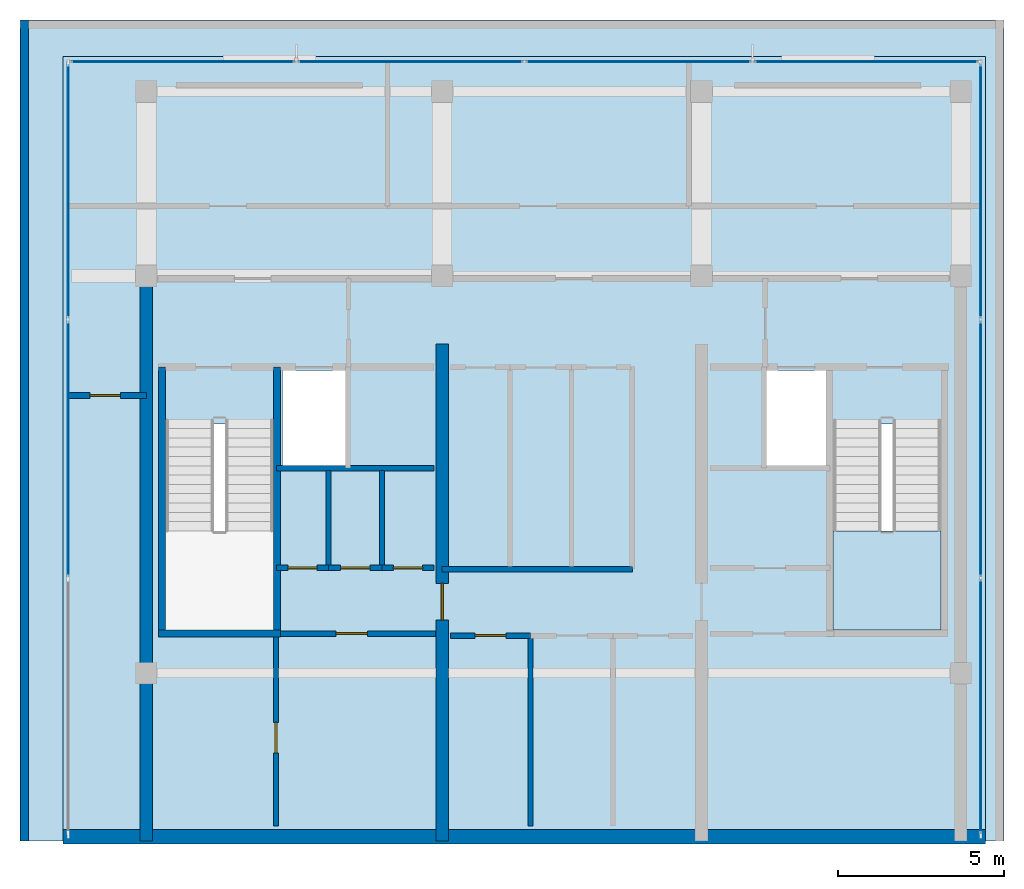
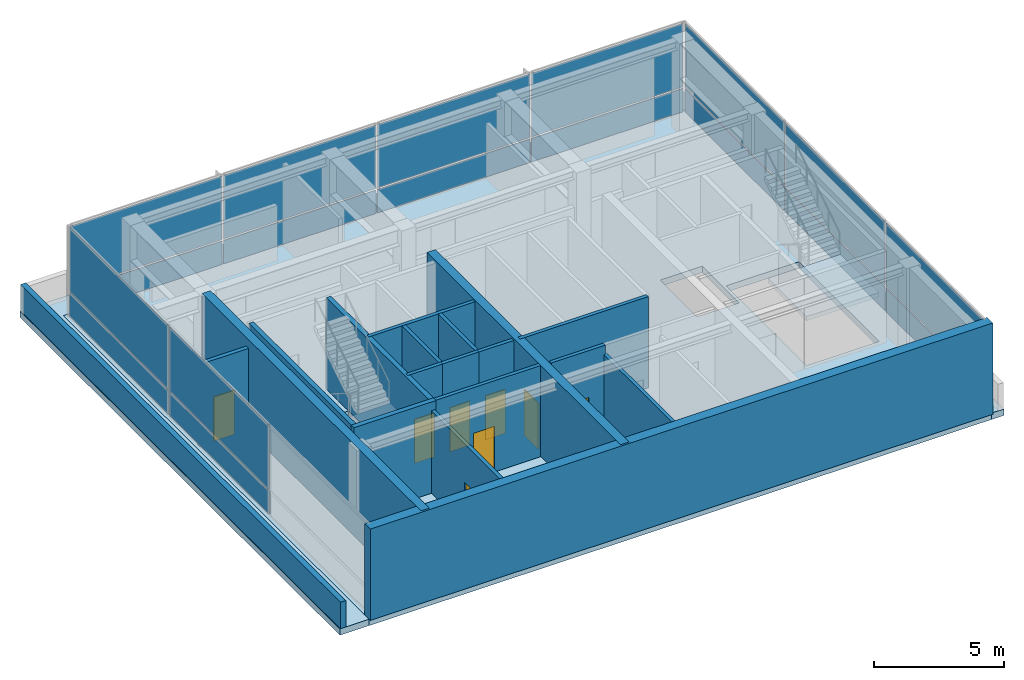
# One storey, part 2 of 5: 19 walls, 18 plates, 8 doors, 3 slabs, 8 openings, 4 elements without a shape of their own.
"""IFC4 building model written with IfcOpenShell, lengths in metres."""

from ifc_helpers import new_model, si_unit, direction, frame, frame_2d, origin, origin_2d, place, context, subcontext, project, spatial, polyline, rectangle, outline, extrude, material, layer, layer_set, type_object, element, fill, aggregate, save


model = new_model("IFC4")

# Units and contexts
model_context = context("Model", 3, precision=1e-05, world=origin(), true_north=direction((0.0, 1.0)))
body_context = subcontext(model_context, "Body", "Model", "MODEL_VIEW")
ifc_project = project(units=[si_unit("LENGTHUNIT", "METRE"), si_unit("AREAUNIT", "SQUARE_METRE"), si_unit("VOLUMEUNIT", "CUBIC_METRE"), si_unit("PLANEANGLEUNIT", "RADIAN"), si_unit("MASSUNIT", "GRAM", prefix="KILO")], contexts=[model_context])

# Site, building, storey
site_placement = place(None, origin())
site = spatial("IfcSite", under=ifc_project, at=site_placement, CompositionType="ELEMENT")
building_placement = place(site_placement, origin())
building = spatial("IfcBuilding", under=site, at=building_placement, Name="Qalmaran Belvedere Hotel", CompositionType="ELEMENT")
storey_placement = place(building_placement, frame((0.0, 0.0, 303.300048828125)))
storey = spatial("IfcBuildingStorey", under=building, at=storey_placement, Name="C02", CompositionType="ELEMENT", Elevation=303.300048828125)

# Curtain wall, plates
ifc_material_1 = material(Name="Anodised Bronze Aluminium", Category="aluminium")
ifc_layer_1 = layer(ifc_material_1, 0.205078125, Name="Anodised Bronze Aluminium")
ifc_layer_set_1 = layer_set([ifc_layer_1], Name="Anodised Bronze Aluminium")
curtain_wall_type = type_object("IfcCurtainWallType", Name="CW7-CROWN-BELVEDERE", PredefinedType="NOTDEFINED", material=ifc_layer_set_1)
curtain_wall_1_placement = place(storey_placement, origin())
curtain_wall_1 = element("IfcCurtainWall", 1, at=curtain_wall_1_placement, inside=storey, type_object=curtain_wall_type, Name="C02 Curtain Wall CW7", PredefinedType="NOTDEFINED")
ifc_material_2 = material(Name="Anodised Bronze Spandrel Panel")
ifc_layer_2 = layer(ifc_material_2, 0.035888671875, Name="Anodised Bronze Spandrel Panel")
ifc_layer_set_2 = layer_set([ifc_layer_2], Name="Anodised Bronze Spandrel Panel")
plate_type_1 = type_object("IfcPlateType", Name="CWP-SPANDREL-36", PredefinedType="CURTAIN_PANEL", material=ifc_layer_set_2)
plate_1_placement = place(storey_placement, frame((41.949951171875, 26.949951171875, 0.06982421875), z_axis=(0.0, 0.0, 1.0), x_axis=(-1.0, 0.0, 0.0)))
plate_1 = element("IfcPlate", 2, at=plate_1_placement, type_object=plate_type_1, Name="CW7 panel 1.1", PredefinedType="CURTAIN_PANEL", context=body_context, shape_type="SweptSolid", body=[
    extrude(rectangle(XDim=6.75, YDim=0.035888671875, at=origin_2d()), origin(), (0.0, 0.0, 1.0), 1.09912109375),
])
plate_2_placement = place(storey_placement, frame((35.106201171875, 26.949951171875, 0.06982421875), z_axis=(0.0, 0.0, 1.0), x_axis=(-1.0, 0.0, 0.0)))
plate_2 = element("IfcPlate", 3, at=plate_2_placement, type_object=plate_type_1, Name="CW7 panel 2.1", PredefinedType="CURTAIN_PANEL", context=body_context, shape_type="SweptSolid", body=[
    extrude(rectangle(XDim=6.78759765625, YDim=0.035888671875, at=origin_2d()), origin(), (0.0, 0.0, 1.0), 1.09912109375),
])
plate_3_placement = place(storey_placement, frame((28.24365234375, 26.949951171875, 0.06982421875), z_axis=(0.0, 0.0, 1.0), x_axis=(-1.0, 0.0, 0.0)))
plate_3 = element("IfcPlate", 4, at=plate_3_placement, type_object=plate_type_1, Name="CW7 panel 3.1", PredefinedType="CURTAIN_PANEL", context=body_context, shape_type="SweptSolid", body=[
    extrude(rectangle(XDim=6.78759765625, YDim=0.035888671875, at=origin_2d()), origin(), (0.0, 0.0, 1.0), 1.09912109375),
])
plate_4_placement = place(storey_placement, frame((21.39990234375, 26.949951171875, 0.06982421875), z_axis=(0.0, 0.0, 1.0), x_axis=(-1.0, 0.0, 0.0)))
plate_4 = element("IfcPlate", 5, at=plate_4_placement, type_object=plate_type_1, Name="CW7 panel 4.1", PredefinedType="CURTAIN_PANEL", context=body_context, shape_type="SweptSolid", body=[
    extrude(rectangle(XDim=6.75, YDim=0.035888671875, at=origin_2d()), origin(), (0.0, 0.0, 1.0), 1.09912109375),
])

curtain_wall_2_placement = place(storey_placement, origin())
curtain_wall_2 = element("IfcCurtainWall", 6, at=curtain_wall_2_placement, inside=storey, type_object=curtain_wall_type, Name="C02 Curtain Wall CW7", PredefinedType="NOTDEFINED")
plate_5_placement = place(storey_placement, frame((17.949951171875, 23.0478515625, 0.06982421875), z_axis=(0.0, 0.0, 1.0), x_axis=(0.0, -1.0, 0.0)))
plate_5 = element("IfcPlate", 7, at=plate_5_placement, type_object=plate_type_1, Name="CW7 panel 1.1", PredefinedType="CURTAIN_PANEL", context=body_context, shape_type="SweptSolid", body=[
    extrude(rectangle(XDim=7.654052734375, YDim=0.035888671875, at=origin_2d()), origin(), (0.0, 0.0, 1.0), 1.09912109375),
])
plate_6_placement = place(storey_placement, frame((17.949951171875, 15.300048828125, 0.06982421875), z_axis=(0.0, 0.0, 1.0), x_axis=(0.0, -1.0, 0.0)))
plate_6 = element("IfcPlate", 8, at=plate_6_placement, type_object=plate_type_1, Name="CW7 panel 2.1", PredefinedType="CURTAIN_PANEL", context=body_context, shape_type="SweptSolid", body=[
    extrude(rectangle(XDim=7.691650390625, YDim=0.035888671875, at=origin_2d()), origin(), (0.0, 0.0, 1.0), 1.09912109375),
])

curtain_wall_3_placement = place(storey_placement, origin())
curtain_wall_3 = element("IfcCurtainWall", 9, at=curtain_wall_3_placement, inside=storey, type_object=curtain_wall_type, Name="C02 Curtain Wall CW7", PredefinedType="NOTDEFINED")
plate_7_placement = place(storey_placement, frame((45.39990234375, 7.552001953125, 0.06982421875), z_axis=(0.0, 0.0, 1.0), x_axis=(0.0, 1.0, 0.0)))
plate_7 = element("IfcPlate", 10, at=plate_7_placement, type_object=plate_type_1, Name="CW7 panel 1.1", PredefinedType="CURTAIN_PANEL", context=body_context, shape_type="SweptSolid", body=[
    extrude(rectangle(XDim=7.654052734375, YDim=0.035888671875, at=origin_2d()), origin(), (0.0, 0.0, 1.0), 1.09912109375),
])
plate_8_placement = place(storey_placement, frame((45.39990234375, 15.300048828125, 0.06982421875), z_axis=(0.0, 0.0, 1.0), x_axis=(0.0, 1.0, 0.0)))
plate_8 = element("IfcPlate", 11, at=plate_8_placement, type_object=plate_type_1, Name="CW7 panel 2.1", PredefinedType="CURTAIN_PANEL", context=body_context, shape_type="SweptSolid", body=[
    extrude(rectangle(XDim=7.691650390625, YDim=0.035888671875, at=origin_2d()), origin(), (0.0, 0.0, 1.0), 1.09912109375),
])
plate_9_placement = place(storey_placement, frame((45.39990234375, 23.0478515625, 0.06982421875), z_axis=(0.0, 0.0, 1.0), x_axis=(0.0, 1.0, 0.0)))
plate_9 = element("IfcPlate", 12, at=plate_9_placement, type_object=plate_type_1, Name="CW7 panel 3.1", PredefinedType="CURTAIN_PANEL", context=body_context, shape_type="SweptSolid", body=[
    extrude(rectangle(XDim=7.654052734375, YDim=0.035888671875, at=origin_2d()), origin(), (0.0, 0.0, 1.0), 1.09912109375),
])

# Plate
ifc_material_3 = material(Name="Solar-Control Double Glazing", Category="glass")
ifc_layer_3 = layer(ifc_material_3, 0.028076171875, Name="Solar-Control Double Glazing")
ifc_layer_set_3 = layer_set([ifc_layer_3], Name="Solar-Control Double Glazing")
plate_type_2 = type_object("IfcPlateType", Name="CWP-VISION-28", PredefinedType="CURTAIN_PANEL", material=ifc_layer_set_3)
plate_10_placement = place(storey_placement, frame((41.949951171875, 26.949951171875, 1.23876953125), z_axis=(0.0, 0.0, 1.0), x_axis=(-1.0, 0.0, 0.0)))
plate_10 = element("IfcPlate", 13, at=plate_10_placement, type_object=plate_type_2, Name="CW7 panel 1.2", PredefinedType="CURTAIN_PANEL", context=body_context, shape_type="SweptSolid", body=[
    extrude(rectangle(XDim=6.75, YDim=0.028076171875, at=origin_2d()), origin(), (0.0, 0.0, 1.0), 2.990966796875),
])

plate_11_placement = place(storey_placement, frame((35.106201171875, 26.949951171875, 1.23876953125), z_axis=(0.0, 0.0, 1.0), x_axis=(-1.0, 0.0, 0.0)))
plate_11 = element("IfcPlate", 14, at=plate_11_placement, type_object=plate_type_2, Name="CW7 panel 2.2", PredefinedType="CURTAIN_PANEL", context=body_context, shape_type="SweptSolid", body=[
    extrude(rectangle(XDim=6.78759765625, YDim=0.028076171875, at=origin_2d()), origin(), (0.0, 0.0, 1.0), 2.990966796875),
])

plate_12_placement = place(storey_placement, frame((28.24365234375, 26.949951171875, 1.23876953125), z_axis=(0.0, 0.0, 1.0), x_axis=(-1.0, 0.0, 0.0)))
plate_12 = element("IfcPlate", 15, at=plate_12_placement, type_object=plate_type_2, Name="CW7 panel 3.2", PredefinedType="CURTAIN_PANEL", context=body_context, shape_type="SweptSolid", body=[
    extrude(rectangle(XDim=6.78759765625, YDim=0.028076171875, at=origin_2d()), origin(), (0.0, 0.0, 1.0), 2.990966796875),
])

plate_13_placement = place(storey_placement, frame((21.39990234375, 26.949951171875, 1.23876953125), z_axis=(0.0, 0.0, 1.0), x_axis=(-1.0, 0.0, 0.0)))
plate_13 = element("IfcPlate", 16, at=plate_13_placement, type_object=plate_type_2, Name="CW7 panel 4.2", PredefinedType="CURTAIN_PANEL", context=body_context, shape_type="SweptSolid", body=[
    extrude(rectangle(XDim=6.75, YDim=0.028076171875, at=origin_2d()), origin(), (0.0, 0.0, 1.0), 2.990966796875),
])

aggregate(curtain_wall_1, [plate_1, plate_10, plate_2, plate_11, plate_3, plate_12, plate_4, plate_13])

plate_14_placement = place(storey_placement, frame((17.949951171875, 23.0478515625, 1.23876953125), z_axis=(0.0, 0.0, 1.0), x_axis=(0.0, -1.0, 0.0)))
plate_14 = element("IfcPlate", 17, at=plate_14_placement, type_object=plate_type_2, Name="CW7 panel 1.2", PredefinedType="CURTAIN_PANEL", context=body_context, shape_type="SweptSolid", body=[
    extrude(rectangle(XDim=7.654052734375, YDim=0.028076171875, at=origin_2d()), origin(), (0.0, 0.0, 1.0), 2.990966796875),
])

plate_15_placement = place(storey_placement, frame((17.949951171875, 15.300048828125, 1.23876953125), z_axis=(0.0, 0.0, 1.0), x_axis=(0.0, -1.0, 0.0)))
plate_15 = element("IfcPlate", 18, at=plate_15_placement, type_object=plate_type_2, Name="CW7 panel 2.2", PredefinedType="CURTAIN_PANEL", context=body_context, shape_type="SweptSolid", body=[
    extrude(rectangle(XDim=7.691650390625, YDim=0.028076171875, at=origin_2d()), origin(), (0.0, 0.0, 1.0), 2.990966796875),
])

aggregate(curtain_wall_2, [plate_5, plate_14, plate_6, plate_15])

plate_16_placement = place(storey_placement, frame((45.39990234375, 7.552001953125, 1.23876953125), z_axis=(0.0, 0.0, 1.0), x_axis=(0.0, 1.0, 0.0)))
plate_16 = element("IfcPlate", 19, at=plate_16_placement, type_object=plate_type_2, Name="CW7 panel 1.2", PredefinedType="CURTAIN_PANEL", context=body_context, shape_type="SweptSolid", body=[
    extrude(rectangle(XDim=7.654052734375, YDim=0.028076171875, at=origin_2d()), origin(), (0.0, 0.0, 1.0), 2.990966796875),
])

plate_17_placement = place(storey_placement, frame((45.39990234375, 15.300048828125, 1.23876953125), z_axis=(0.0, 0.0, 1.0), x_axis=(0.0, 1.0, 0.0)))
plate_17 = element("IfcPlate", 20, at=plate_17_placement, type_object=plate_type_2, Name="CW7 panel 2.2", PredefinedType="CURTAIN_PANEL", context=body_context, shape_type="SweptSolid", body=[
    extrude(rectangle(XDim=7.691650390625, YDim=0.028076171875, at=origin_2d()), origin(), (0.0, 0.0, 1.0), 2.990966796875),
])

plate_18_placement = place(storey_placement, frame((45.39990234375, 23.0478515625, 1.23876953125), z_axis=(0.0, 0.0, 1.0), x_axis=(0.0, 1.0, 0.0)))
plate_18 = element("IfcPlate", 21, at=plate_18_placement, type_object=plate_type_2, Name="CW7 panel 3.2", PredefinedType="CURTAIN_PANEL", context=body_context, shape_type="SweptSolid", body=[
    extrude(rectangle(XDim=7.654052734375, YDim=0.028076171875, at=origin_2d()), origin(), (0.0, 0.0, 1.0), 2.990966796875),
])

aggregate(curtain_wall_3, [plate_7, plate_16, plate_8, plate_17, plate_9, plate_18])

# Slabs
ifc_material_4 = material(Name="Concrete C40/50", Category="concrete")
ifc_layer_4 = layer(ifc_material_4, 0.300048828125, Name="Concrete C40/50")
ifc_layer_set_4 = layer_set([ifc_layer_4], Name="Concrete C40/50")
slab_type_1 = type_object("IfcSlabType", Name="SLB-CRN-300", PredefinedType="FLOOR", material=ifc_layer_set_4)
slab_1_placement = place(storey_placement, frame((0.0, 0.0, -0.300048828125)))
element("IfcSlab", 22, at=slab_1_placement, inside=storey, type_object=slab_type_1, Name="C02 Structural Floor Slab", PredefinedType="FLOOR", context=body_context, shape_type="SweptSolid", body=[
    extrude(outline(polyline([(17.800048828125, 3.5), (45.550048828125, 3.5), (45.550048828125, 27.10009765625), (17.800048828125, 27.10009765625), (17.800048828125, 3.5)]), holes=[polyline([(20.8798828125, 9.85009765625), (24.1201171875, 9.85009765625), (24.1201171875, 16.0400390625), (20.8798828125, 16.0400390625), (20.8798828125, 9.85009765625)]), polyline([(40.9599609375, 9.85009765625), (44.199951171875, 9.85009765625), (44.199951171875, 16.0400390625), (40.9599609375, 16.0400390625), (40.9599609375, 9.85009765625)]), polyline([(24.39990234375, 14.800048828125), (26.300048828125, 14.800048828125), (26.300048828125, 17.64990234375), (24.39990234375, 17.64990234375), (24.39990234375, 14.800048828125)]), polyline([(38.949951171875, 14.800048828125), (40.820068359375, 14.800048828125), (40.820068359375, 17.64990234375), (38.949951171875, 17.64990234375), (38.949951171875, 14.800048828125)])]), origin(), (0.0, 0.0, 1.0), 0.300048828125),
])
ifc_layer_5 = layer(ifc_material_4, 0.300048828125, Name="Concrete C40/50")
ifc_layer_set_5 = layer_set([ifc_layer_5], Name="Concrete C40/50")
slab_type_2 = type_object("IfcSlabType", Name="SLB-CROOF-310", PredefinedType="ROOF", material=ifc_layer_set_5)
slab_2_placement = place(storey_placement, frame((0.0, 0.0, -0.300048828125)))
element("IfcSlab", 23, at=slab_2_placement, inside=storey, type_object=slab_type_2, Name="C02 Stepped Roof Cap 1", PredefinedType="ROOF", context=body_context, shape_type="SweptSolid", body=[
    extrude(outline(polyline([(16.5, 3.5), (16.5, 28.199951171875), (46.10009765625, 28.199951171875), (46.10009765625, 3.5), (45.550048828125, 3.5), (45.550048828125, 27.10009765625), (17.800048828125, 27.10009765625), (17.800048828125, 3.5), (16.5, 3.5)])), origin(), (0.0, 0.0, 1.0), 0.300048828125),
])

# Stair, slab
stair_type = type_object("IfcStairType", Name="STR-ST-2-1450-R1769", PredefinedType="HALF_TURN_STAIR", material=ifc_material_4)
stair_placement = place(storey_placement, origin())
stair = element("IfcStair", 24, at=stair_placement, inside=storey, type_object=stair_type, Name="C02 East Core Exit Stair ST-2", PredefinedType="HALF_TURN_STAIR")
ifc_layer_6 = layer(ifc_material_4, 0.199951171875, Name="Concrete C40/50")
ifc_layer_set_6 = layer_set([ifc_layer_6], Name="Concrete C40/50")
slab_type_3 = type_object("IfcSlabType", Name="SLB-STAIR-LANDING-200", PredefinedType="LANDING", material=ifc_layer_set_6)
slab_3_placement = place(storey_placement, frame((0.0, 0.0, 2.099853515625)))
slab_3 = element("IfcSlab", 25, at=slab_3_placement, type_object=slab_type_3, Name="ST-2 landing 1", PredefinedType="LANDING", context=body_context, shape_type="SweptSolid", body=[
    extrude(outline(polyline([(40.9599609375, 12.830078125), (40.9599609375, 9.85009765625), (44.199951171875, 9.85009765625), (44.199951171875, 12.830078125), (40.9599609375, 12.830078125)])), origin(), (0.0, 0.0, 1.0), 0.2001953125),
])
aggregate(stair, [slab_3])

# Wall
ifc_material_5 = material(Name="Concrete C50/60", Category="concrete")
ifc_layer_7 = layer(ifc_material_5, 0.3798828125, Name="Concrete C50/60")
ifc_layer_set_7 = layer_set([ifc_layer_7], Name="Concrete C50/60")
wall_type_1 = type_object("IfcWallType", Name="WL-CORE-380-C50", PredefinedType="SHEAR", material=ifc_layer_set_7)
wall_1_placement = place(storey_placement, frame((20.300048828125, 3.5, 0.0), z_axis=(0.0, 0.0, 1.0), x_axis=(0.0, 1.0, 0.0)))
element("IfcWall", 26, at=wall_1_placement, inside=storey, type_object=wall_type_1, Name="C02 West Core Shear Wall", PredefinedType="SHEAR", context=body_context, shape_type="SweptSolid", body=[
    extrude(rectangle(XDim=16.89990234375, YDim=0.3798828125, at=frame_2d((8.449951171875, 0.0))), origin(), (0.0, 0.0, 1.0), 4.300048828125),
])

# Wall, opening, door
wall_2_placement = place(storey_placement, frame((29.199951171875, 3.5, 0.0), z_axis=(0.0, 0.0, 1.0), x_axis=(0.0, 1.0, 0.0)))
wall_2 = element("IfcWall", 27, at=wall_2_placement, inside=storey, type_object=wall_type_1, Name="C02 Core West Spine Shear Wall", PredefinedType="SHEAR", context=body_context, shape_type="SweptSolid", body=[
    extrude(rectangle(XDim=14.949951171875, YDim=0.3798828125, at=frame_2d((7.47509765625, 0.0))), origin(), (0.0, 0.0, 1.0), 4.300048828125),
])
opening_1_placement = place(wall_2_placement, frame((7.75, 0.0, 0.0), z_axis=(0.0, 0.0, 1.0), x_axis=(-1.0, 0.0, 0.0)))
opening_1 = element("IfcOpeningElement", 28, at=opening_1_placement, cuts=wall_2, Name="Opening FD90", PredefinedType="OPENING", context=body_context, shape_type="SweptSolid", body=[
    extrude(rectangle(XDim=1.10009765625, YDim=2.14990234375, at=frame_2d((0.550048828125, 1.074951171875))), frame((0.0, 0.199951171875, 0.0), z_axis=(0.0, -1.0, 0.0), x_axis=(1.0, 0.0, 0.0)), (0.0, 0.0, 1.0), 0.39990234375),
])
ifc_material_6 = material(Name="Steel S355JR", Category="steel")
door_type_1 = type_object("IfcDoorType", Name="DR-FD90-1100X2150", OperationType="NOTDEFINED", PredefinedType="DOOR", material=ifc_material_6)
door_1_placement = place(opening_1_placement, origin())
door_1 = element("IfcDoor", 29, at=door_1_placement, inside=storey, type_object=door_type_1, Name="C02 Core West Cross-Lobby Door", OperationType="SINGLE_SWING_RIGHT", OverallHeight=2.14990234375, OverallWidth=1.10009765625, PredefinedType="DOOR", context=body_context, shape_type="SweptSolid", body=[
    extrude(rectangle(XDim=1.10009765625, YDim=2.14990234375, at=frame_2d((0.550048828125, 1.074951171875))), frame((0.0, 0.02490234375, 0.0), z_axis=(0.0, -1.0, 0.0), x_axis=(1.0, 0.0, 0.0)), (0.0, 0.0, 1.0), 0.050048828125),
])
fill(opening_1, door_1)

# Walls
ifc_layer_8 = layer(ifc_material_5, 0.43994140625, Name="Concrete C50/60")
ifc_layer_set_8 = layer_set([ifc_layer_8], Name="Concrete C50/60")
wall_type_2 = type_object("IfcWallType", Name="WL-CORES-440-EXT", PredefinedType="SHEAR", material=ifc_layer_set_8)
wall_3_placement = place(storey_placement, frame((17.800048828125, 3.6298828125, 0.0), z_axis=(0.0, 0.0, 1.0), x_axis=(1.0, 0.0, 0.0)))
element("IfcWall", 30, at=wall_3_placement, inside=storey, type_object=wall_type_2, Name="C02 South Core Shear Wall", PredefinedType="SHEAR", context=body_context, shape_type="SweptSolid", body=[
    extrude(rectangle(XDim=27.75, YDim=0.43994140625, at=frame_2d((13.875, 0.0))), origin(), (0.0, 0.0, 1.0), 4.300048828125),
])
ifc_material_7 = material(Name="Gypsum Stud Partition")
ifc_layer_9 = layer(ifc_material_7, 0.14990234375, Name="Gypsum Stud Partition")
ifc_layer_set_9 = layer_set([ifc_layer_9], Name="Gypsum Stud Partition")
wall_type_3 = type_object("IfcWallType", Name="WL-INT-150-EI60", PredefinedType="PARTITIONING", material=ifc_layer_set_9)
for number, where, z_axis, x_axis, name in (
    (31, (25.781005859375, 11.719970703125, 0.0), (0.0, 0.0, 1.0), (0.0, 1.0, 0.0), "C02 Partition WL-C02-KWV1"),
    (32, (27.38916015625, 11.719970703125, 0.0), (0.0, 0.0, 1.0), (0.0, 1.0, 0.0), "C02 Partition WL-C02-KWV2"),
):
    element("IfcWall", number, at=place(storey_placement, frame(where, z_axis=z_axis, x_axis=x_axis)), inside=storey, type_object=wall_type_3, Name=name, PredefinedType="PARTITIONING", context=body_context, shape_type="SweptSolid", body=[
        extrude(rectangle(XDim=2.929931640625, YDim=0.14990234375, at=frame_2d((1.46484375, 0.0))), origin(), (0.0, 0.0, 1.0), 4.300048828125),
    ])
wall_4_placement = place(storey_placement, frame((31.85888671875, 3.949951171875, 0.0), z_axis=(0.0, 0.0, 1.0), x_axis=(0.0, 1.0, 0.0)))
element("IfcWall", 33, at=wall_4_placement, inside=storey, type_object=wall_type_3, Name="C02 Partition WL-C02-KPLV1", PredefinedType="PARTITIONING", context=body_context, shape_type="SweptSolid", body=[
    extrude(rectangle(XDim=5.72998046875, YDim=0.14990234375, at=frame_2d((2.864990234375, 0.0))), origin(), (0.0, 0.0, 1.0), 3.885009765625),
])
ifc_layer_10 = layer(ifc_material_7, 0.159912109375, Name="Gypsum Stud Partition")
ifc_layer_set_10 = layer_set([ifc_layer_10], Name="Gypsum Stud Partition")
wall_type_4 = type_object("IfcWallType", Name="WL-INT-160-EI120", PredefinedType="PARTITIONING", material=ifc_layer_set_10)
wall_5_placement = place(storey_placement, frame((24.219970703125, 14.719970703125, 0.0), z_axis=(0.0, 0.0, 1.0), x_axis=(1.0, 0.0, 0.0)))
element("IfcWall", 34, at=wall_5_placement, inside=storey, type_object=wall_type_4, Name="C02 Partition WL-FF1S-C02", PredefinedType="PARTITIONING", context=body_context, shape_type="SweptSolid", body=[
    extrude(rectangle(XDim=4.72998046875, YDim=0.159912109375, at=frame_2d((2.364990234375, 0.0))), origin(), (0.0, 0.0, 1.0), 4.300048828125),
])

# Wall, opening, door
wall_6_placement = place(storey_placement, frame((24.199951171875, 3.949951171875, 0.0), z_axis=(0.0, 0.0, 1.0), x_axis=(0.0, 1.0, 0.0)))
wall_6 = element("IfcWall", 35, at=wall_6_placement, inside=storey, type_object=wall_type_4, Name="C02 Partition WL-PONV-C02", PredefinedType="PARTITIONING", context=body_context, shape_type="SweptSolid", body=[
    extrude(rectangle(XDim=5.7900390625, YDim=0.159912109375, at=frame_2d((2.89501953125, 0.0))), origin(), (0.0, 0.0, 1.0), 3.885009765625),
])
opening_2_placement = place(wall_6_placement, frame((2.199951171875, 0.0, 0.0)))
opening_2 = element("IfcOpeningElement", 36, at=opening_2_placement, cuts=wall_6, Name="Opening FD60S1", PredefinedType="OPENING", context=body_context, shape_type="SweptSolid", body=[
    extrude(rectangle(XDim=0.919921875, YDim=2.080078125, at=frame_2d((0.4599609375, 1.0400390625))), frame((0.0, 0.08984375, 0.0), z_axis=(0.0, -1.0, 0.0), x_axis=(1.0, 0.0, 0.0)), (0.0, 0.0, 1.0), 0.179931640625),
])
ifc_material_8 = material(Name="Engineered Oak Veneer")
door_type_2 = type_object("IfcDoorType", Name="DR-FD60S-920X2080", OperationType="NOTDEFINED", PredefinedType="DOOR", material=ifc_material_8)
door_2_placement = place(opening_2_placement, origin())
door_2 = element("IfcDoor", 37, at=door_2_placement, inside=storey, type_object=door_type_2, Name="C02 Machine Plant Inner Door", OperationType="SINGLE_SWING_LEFT", OverallHeight=2.080078125, OverallWidth=0.919921875, PredefinedType="DOOR", context=body_context, shape_type="SweptSolid", body=[
    extrude(rectangle(XDim=0.919921875, YDim=2.080078125, at=frame_2d((0.4599609375, 1.0400390625))), frame((0.0, 0.02490234375, 0.0), z_axis=(0.0, -1.0, 0.0), x_axis=(1.0, 0.0, 0.0)), (0.0, 0.0, 1.0), 0.050048828125),
])
fill(opening_2, door_2)

wall_7_placement = place(storey_placement, frame((24.199951171875, 9.739990234375, 0.0), z_axis=(0.0, 0.0, 1.0), x_axis=(1.0, 0.0, 0.0)))
wall_7 = element("IfcWall", 38, at=wall_7_placement, inside=storey, type_object=wall_type_4, Name="C02 Partition WL-PONN-C02", PredefinedType="PARTITIONING", context=body_context, shape_type="SweptSolid", body=[
    extrude(rectangle(XDim=4.800048828125, YDim=0.159912109375, at=frame_2d((2.39990234375, 0.0))), origin(), (0.0, 0.0, 1.0), 4.300048828125),
])
opening_3_placement = place(wall_7_placement, frame((2.75, 0.0, 0.0), z_axis=(0.0, 0.0, 1.0), x_axis=(-1.0, 0.0, 0.0)))
opening_3 = element("IfcOpeningElement", 39, at=opening_3_placement, cuts=wall_7, Name="Opening FD60", PredefinedType="OPENING", context=body_context, shape_type="SweptSolid", body=[
    extrude(rectangle(XDim=0.949951171875, YDim=2.14990234375, at=frame_2d((0.47509765625, 1.074951171875))), frame((0.0, 0.08984375, 0.0), z_axis=(0.0, -1.0, 0.0), x_axis=(1.0, 0.0, 0.0)), (0.0, 0.0, 1.0), 0.179931640625),
])
door_type_3 = type_object("IfcDoorType", Name="DR-FD60-950X2150", OperationType="NOTDEFINED", PredefinedType="DOOR", material=ifc_material_8)
door_3_placement = place(opening_3_placement, origin())
door_3 = element("IfcDoor", 40, at=door_3_placement, inside=storey, type_object=door_type_3, Name="C02 Buffer Plant Passage Door", OperationType="SINGLE_SWING_RIGHT", OverallHeight=2.14990234375, OverallWidth=0.949951171875, PredefinedType="DOOR", context=body_context, shape_type="SweptSolid", body=[
    extrude(rectangle(XDim=0.949951171875, YDim=2.14990234375, at=frame_2d((0.47509765625, 1.074951171875))), frame((0.0, 0.02490234375, 0.0), z_axis=(0.0, -1.0, 0.0), x_axis=(1.0, 0.0, 0.0)), (0.0, 0.0, 1.0), 0.050048828125),
])
fill(opening_3, door_3)

ifc_layer_11 = layer(ifc_material_7, 0.159912109375, Name="Gypsum Stud Partition")
ifc_layer_set_11 = layer_set([ifc_layer_11], Name="Gypsum Stud Partition")
wall_type_5 = type_object("IfcWallType", Name="WL-INT-160-EI60", PredefinedType="PARTITIONING", material=ifc_layer_set_11)
wall_8_placement = place(storey_placement, frame((24.219970703125, 11.719970703125, 0.0), z_axis=(0.0, 0.0, 1.0), x_axis=(1.0, 0.0, 0.0)))
wall_8 = element("IfcWall", 41, at=wall_8_placement, inside=storey, type_object=wall_type_5, Name="C02 Partition WL-C02-KWE1", PredefinedType="PARTITIONING", context=body_context, shape_type="SweptSolid", body=[
    extrude(rectangle(XDim=1.56103515625, YDim=0.159912109375, at=frame_2d((0.780517578125, 0.0))), origin(), (0.0, 0.0, 1.0), 4.300048828125),
])
opening_4_placement = place(wall_8_placement, frame((0.340576171875, 0.0, 0.0)))
opening_4 = element("IfcOpeningElement", 42, at=opening_4_placement, cuts=wall_8, Name="Opening FD60B", PredefinedType="OPENING", context=body_context, shape_type="SweptSolid", body=[
    extrude(rectangle(XDim=0.8798828125, YDim=2.080078125, at=frame_2d((0.43994140625, 1.0400390625))), frame((0.0, 0.08984375, 0.0), z_axis=(0.0, -1.0, 0.0), x_axis=(1.0, 0.0, 0.0)), (0.0, 0.0, 1.0), 0.179931640625),
])
door_type_4 = type_object("IfcDoorType", Name="DR-FD60B-880X2080", OperationType="NOTDEFINED", PredefinedType="DOOR", material=ifc_material_6)
door_4_placement = place(opening_4_placement, origin())
door_4 = element("IfcDoor", 43, at=door_4_placement, inside=storey, type_object=door_type_4, Name="C02 Electrical Switchgear Plant Room Door", OperationType="SINGLE_SWING_LEFT", OverallHeight=2.080078125, OverallWidth=0.8798828125, PredefinedType="DOOR", context=body_context, shape_type="SweptSolid", body=[
    extrude(rectangle(XDim=0.8798828125, YDim=2.080078125, at=frame_2d((0.43994140625, 1.0400390625))), frame((0.0, 0.02490234375, 0.0), z_axis=(0.0, -1.0, 0.0), x_axis=(1.0, 0.0, 0.0)), (0.0, 0.0, 1.0), 0.050048828125),
])
fill(opening_4, door_4)

wall_9_placement = place(storey_placement, frame((25.781005859375, 11.719970703125, 0.0), z_axis=(0.0, 0.0, 1.0), x_axis=(1.0, 0.0, 0.0)))
wall_9 = element("IfcWall", 44, at=wall_9_placement, inside=storey, type_object=wall_type_5, Name="C02 Partition WL-C02-KWE2", PredefinedType="PARTITIONING", context=body_context, shape_type="SweptSolid", body=[
    extrude(rectangle(XDim=1.608154296875, YDim=0.159912109375, at=frame_2d((0.80419921875, 0.0))), origin(), (0.0, 0.0, 1.0), 4.300048828125),
])
opening_5_placement = place(wall_9_placement, frame((0.364013671875, 0.0, 0.0)))
opening_5 = element("IfcOpeningElement", 45, at=opening_5_placement, cuts=wall_9, Name="Opening FD60B", PredefinedType="OPENING", context=body_context, shape_type="SweptSolid", body=[
    extrude(rectangle(XDim=0.8798828125, YDim=2.080078125, at=frame_2d((0.43994140625, 1.0400390625))), frame((0.0, 0.08984375, 0.0), z_axis=(0.0, -1.0, 0.0), x_axis=(1.0, 0.0, 0.0)), (0.0, 0.0, 1.0), 0.179931640625),
])
door_5_placement = place(opening_5_placement, origin())
door_5 = element("IfcDoor", 46, at=door_5_placement, inside=storey, type_object=door_type_4, Name="C02 Telecom Control Plant Room Door", OperationType="SINGLE_SWING_RIGHT", OverallHeight=2.080078125, OverallWidth=0.8798828125, PredefinedType="DOOR", context=body_context, shape_type="SweptSolid", body=[
    extrude(rectangle(XDim=0.8798828125, YDim=2.080078125, at=frame_2d((0.43994140625, 1.0400390625))), frame((0.0, 0.02490234375, 0.0), z_axis=(0.0, -1.0, 0.0), x_axis=(1.0, 0.0, 0.0)), (0.0, 0.0, 1.0), 0.050048828125),
])
fill(opening_5, door_5)

wall_10_placement = place(storey_placement, frame((27.38916015625, 11.719970703125, 0.0), z_axis=(0.0, 0.0, 1.0), x_axis=(1.0, 0.0, 0.0)))
wall_10 = element("IfcWall", 47, at=wall_10_placement, inside=storey, type_object=wall_type_5, Name="C02 Partition WL-C02-KWE3", PredefinedType="PARTITIONING", context=body_context, shape_type="SweptSolid", body=[
    extrude(rectangle(XDim=1.560791015625, YDim=0.159912109375, at=frame_2d((0.7802734375, 0.0))), origin(), (0.0, 0.0, 1.0), 4.300048828125),
])
opening_6_placement = place(wall_10_placement, frame((0.340576171875, 0.0, 0.0)))
opening_6 = element("IfcOpeningElement", 48, at=opening_6_placement, cuts=wall_10, Name="Opening FD60B", PredefinedType="OPENING", context=body_context, shape_type="SweptSolid", body=[
    extrude(rectangle(XDim=0.8798828125, YDim=2.080078125, at=frame_2d((0.43994140625, 1.0400390625))), frame((0.0, 0.08984375, 0.0), z_axis=(0.0, -1.0, 0.0), x_axis=(1.0, 0.0, 0.0)), (0.0, 0.0, 1.0), 0.179931640625),
])
door_6_placement = place(opening_6_placement, origin())
door_6 = element("IfcDoor", 49, at=door_6_placement, inside=storey, type_object=door_type_4, Name="C02 Booster Valve Plant Room Door", OperationType="SINGLE_SWING_LEFT", OverallHeight=2.080078125, OverallWidth=0.8798828125, PredefinedType="DOOR", context=body_context, shape_type="SweptSolid", body=[
    extrude(rectangle(XDim=0.8798828125, YDim=2.080078125, at=frame_2d((0.43994140625, 1.0400390625))), frame((0.0, 0.02490234375, 0.0), z_axis=(0.0, -1.0, 0.0), x_axis=(1.0, 0.0, 0.0)), (0.0, 0.0, 1.0), 0.050048828125),
])
fill(opening_6, door_6)

wall_11_placement = place(storey_placement, frame((29.449951171875, 9.679931640625, 0.0), z_axis=(0.0, 0.0, 1.0), x_axis=(1.0, 0.0, 0.0)))
wall_11 = element("IfcWall", 50, at=wall_11_placement, inside=storey, type_object=wall_type_5, Name="C02 Partition WL-C02-KPLE1", PredefinedType="PARTITIONING", context=body_context, shape_type="SweptSolid", body=[
    extrude(rectangle(XDim=2.408935546875, YDim=0.159912109375, at=frame_2d((1.20458984375, 0.0))), origin(), (0.0, 0.0, 1.0), 4.300048828125),
])
opening_7_placement = place(wall_11_placement, frame((1.664306640625, 0.0, 0.0), z_axis=(0.0, 0.0, 1.0), x_axis=(-1.0, 0.0, 0.0)))
opening_7 = element("IfcOpeningElement", 51, at=opening_7_placement, cuts=wall_11, Name="Opening FD60S1", PredefinedType="OPENING", context=body_context, shape_type="SweptSolid", body=[
    extrude(rectangle(XDim=0.919921875, YDim=2.080078125, at=frame_2d((0.4599609375, 1.0400390625))), frame((0.0, 0.08984375, 0.0), z_axis=(0.0, -1.0, 0.0), x_axis=(1.0, 0.0, 0.0)), (0.0, 0.0, 1.0), 0.179931640625),
])
door_7_placement = place(opening_7_placement, origin())
door_7 = element("IfcDoor", 52, at=door_7_placement, inside=storey, type_object=door_type_2, Name="C02 Pressurisation Fan Plant Room Door", OperationType="SINGLE_SWING_RIGHT", OverallHeight=2.080078125, OverallWidth=0.919921875, PredefinedType="DOOR", context=body_context, shape_type="SweptSolid", body=[
    extrude(rectangle(XDim=0.919921875, YDim=2.080078125, at=frame_2d((0.4599609375, 1.0400390625))), frame((0.0, 0.02490234375, 0.0), z_axis=(0.0, -1.0, 0.0), x_axis=(1.0, 0.0, 0.0)), (0.0, 0.0, 1.0), 0.050048828125),
])
fill(opening_7, door_7)

# Wall
wall_12_placement = place(storey_placement, frame((29.199951171875, 11.679931640625, 0.0), z_axis=(0.0, 0.0, 1.0), x_axis=(1.0, 0.0, 0.0)))
element("IfcWall", 53, at=wall_12_placement, inside=storey, type_object=wall_type_5, Name="C02 Partition WL-PMFS-C02", PredefinedType="PARTITIONING", context=body_context, shape_type="SweptSolid", body=[
    extrude(rectangle(XDim=5.719970703125, YDim=0.159912109375, at=frame_2d((2.85986328125, 0.0))), origin(), (0.0, 0.0, 1.0), 4.300048828125),
])

# Wall, opening, door
ifc_layer_12 = layer(ifc_material_7, 0.179931640625, Name="Gypsum Stud Partition")
ifc_layer_set_12 = layer_set([ifc_layer_12], Name="Gypsum Stud Partition")
wall_type_6 = type_object("IfcWallType", Name="WL-INT-180-EI120", PredefinedType="PARTITIONING", material=ifc_layer_set_12)
wall_13_placement = place(storey_placement, frame((17.949951171875, 16.89990234375, 0.0), z_axis=(0.0, 0.0, 1.0), x_axis=(1.0, 0.0, 0.0)))
wall_13 = element("IfcWall", 54, at=wall_13_placement, inside=storey, type_object=wall_type_6, Name="C02 Partition WL-C02-CMW", PredefinedType="PARTITIONING", context=body_context, shape_type="SweptSolid", body=[
    extrude(rectangle(XDim=2.35009765625, YDim=0.179931640625, at=frame_2d((1.175048828125, 0.0))), origin(), (0.0, 0.0, 1.0), 3.885009765625),
])
opening_8_placement = place(wall_13_placement, frame((1.56982421875, 0.0, 0.0), z_axis=(0.0, 0.0, 1.0), x_axis=(-1.0, 0.0, 0.0)))
opening_8 = element("IfcOpeningElement", 55, at=opening_8_placement, cuts=wall_13, Name="Opening FD60S1", PredefinedType="OPENING", context=body_context, shape_type="SweptSolid", body=[
    extrude(rectangle(XDim=0.919921875, YDim=2.080078125, at=frame_2d((0.4599609375, 1.0400390625))), frame((0.0, 0.10009765625, 0.0), z_axis=(0.0, -1.0, 0.0), x_axis=(1.0, 0.0, 0.0)), (0.0, 0.0, 1.0), 0.199951171875),
])
door_8_placement = place(opening_8_placement, origin())
door_8 = element("IfcDoor", 56, at=door_8_placement, inside=storey, type_object=door_type_2, Name="C02 Machine Plant Door", OperationType="SINGLE_SWING_LEFT", OverallHeight=2.080078125, OverallWidth=0.919921875, PredefinedType="DOOR", context=body_context, shape_type="SweptSolid", body=[
    extrude(rectangle(XDim=0.919921875, YDim=2.080078125, at=frame_2d((0.4599609375, 1.0400390625))), frame((0.0, 0.02490234375, 0.0), z_axis=(0.0, -1.0, 0.0), x_axis=(1.0, 0.0, 0.0)), (0.0, 0.0, 1.0), 0.050048828125),
])
fill(opening_8, door_8)

# Walls
ifc_layer_13 = layer(ifc_material_4, 0.239990234375, Name="Concrete C40/50")
ifc_layer_set_13 = layer_set([ifc_layer_13], Name="Concrete C40/50")
wall_type_7 = type_object("IfcWallType", Name="WL-PARAPET-240", PredefinedType="PARAPET", material=ifc_layer_set_13)
wall_14_placement = place(storey_placement, frame((16.639892578125, 28.199951171875, 0.0), z_axis=(0.0, 0.0, 1.0), x_axis=(0.0, -1.0, 0.0)))
element("IfcWall", 57, at=wall_14_placement, inside=storey, type_object=wall_type_7, Name="C02 Roof Parapet 4", PredefinedType="PARAPET", context=body_context, shape_type="SweptSolid", body=[
    extrude(rectangle(XDim=24.699951171875, YDim=0.239990234375, at=frame_2d((12.35009765625, 0.0))), origin(), (0.0, 0.0, 1.0), 1.25),
])
ifc_layer_14 = layer(ifc_material_5, 0.2099609375, Name="Concrete C50/60")
ifc_layer_set_14 = layer_set([ifc_layer_14], Name="Concrete C50/60")
wall_type_8 = type_object("IfcWallType", Name="WL-STAIR-210-C50", PredefinedType="SHEAR", material=ifc_layer_set_14)
for number, where, z_axis, x_axis, name in (
    (58, (20.77490234375, 9.7451171875, 0.0), (0.0, 0.0, 1.0), (0.0, 1.0, 0.0), "C02 Stair ST-1 West Bearing Wall"),
    (59, (24.22509765625, 9.7451171875, 0.0), (0.0, 0.0, 1.0), (0.0, 1.0, 0.0), "C02 Stair ST-1 East Bearing Wall"),
):
    element("IfcWall", number, at=place(storey_placement, frame(where, z_axis=z_axis, x_axis=x_axis)), inside=storey, type_object=wall_type_8, Name=name, PredefinedType="SHEAR", context=body_context, shape_type="SweptSolid", body=[
        extrude(rectangle(XDim=8.009765625, YDim=0.2099609375, at=frame_2d((4.0048828125, 0.0))), origin(), (0.0, 0.0, 1.0), 4.300048828125),
    ])
wall_15_placement = place(storey_placement, frame((20.669921875, 9.7451171875, 0.0), z_axis=(0.0, 0.0, 1.0), x_axis=(1.0, 0.0, 0.0)))
element("IfcWall", 60, at=wall_15_placement, inside=storey, type_object=wall_type_8, Name="C02 Stair ST-1 South Bearing Wall", PredefinedType="SHEAR", context=body_context, shape_type="SweptSolid", body=[
    extrude(rectangle(XDim=3.66015625, YDim=0.2099609375, at=frame_2d((1.830078125, 0.0))), origin(), (0.0, 0.0, 1.0), 4.300048828125),
])

save(model, "model.ifc")
